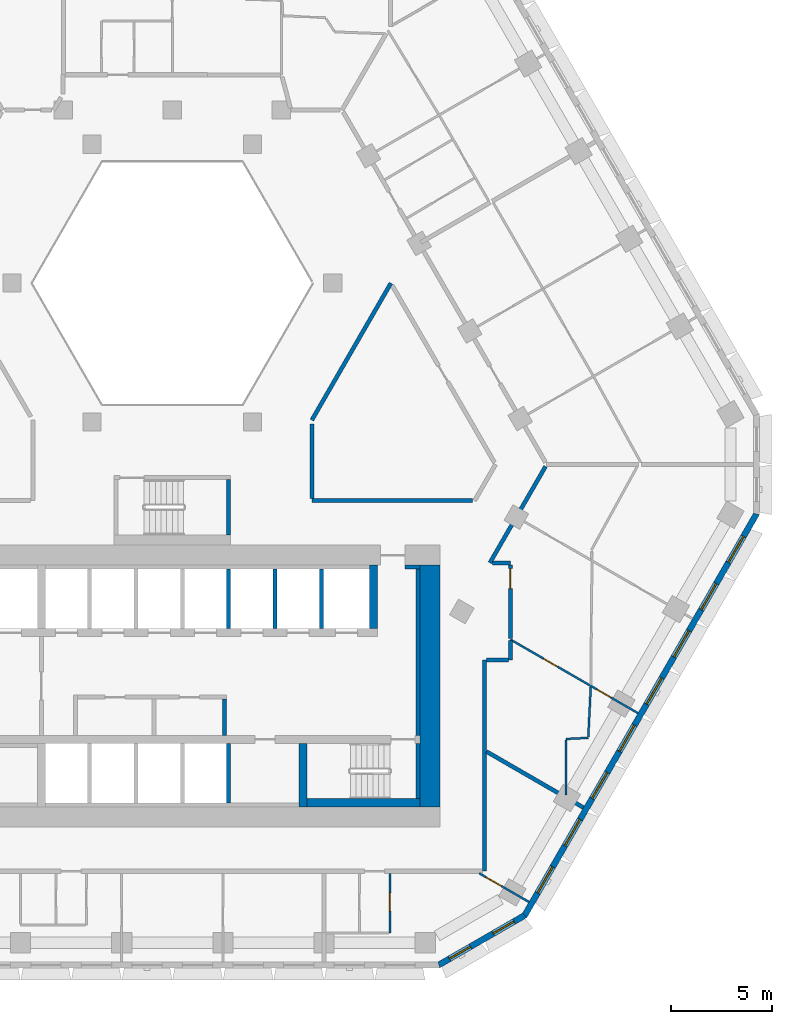
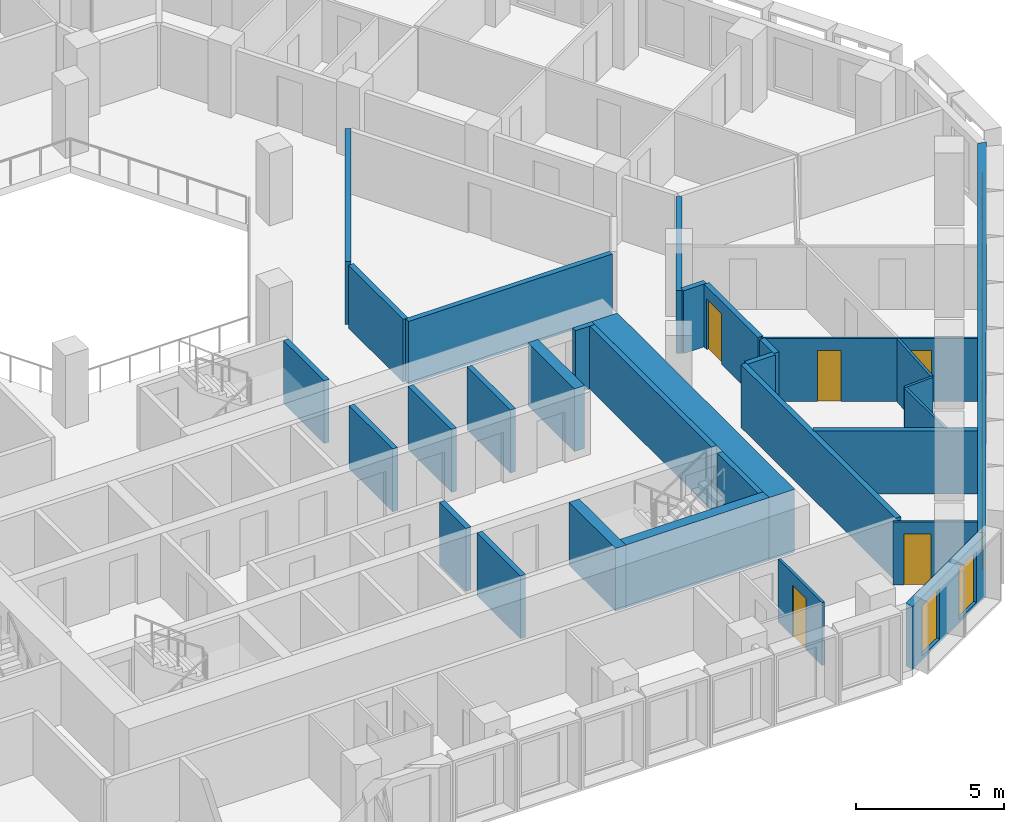
# One storey, part 6 of 18: 31 walls, 10 windows, 5 doors, 15 openings.
"""IFC4 building model written with IfcOpenShell, lengths in metres."""

from ifc_helpers import new_model, si_unit, direction, frame, frame_2d, origin, place, context, subcontext, project, spatial, polyline, rectangle, outline, extrude, material, layer, layer_set, type_object, element, fill, save


model = new_model("IFC4")

# Units and contexts
model_context = context("Model", 3, precision=1e-05, world=origin(), true_north=direction((0.0, 1.0)))
body_context = subcontext(model_context, "Body", "Model", "MODEL_VIEW")
ifc_project = project(units=[si_unit("LENGTHUNIT", "METRE"), si_unit("AREAUNIT", "SQUARE_METRE"), si_unit("VOLUMEUNIT", "CUBIC_METRE"), si_unit("PLANEANGLEUNIT", "RADIAN"), si_unit("MASSUNIT", "GRAM", prefix="KILO")], contexts=[model_context])

# Site, building, storey
site_placement = place(None, origin())
site = spatial("IfcSite", under=ifc_project, at=site_placement, CompositionType="ELEMENT")
building_placement = place(site_placement, origin())
building = spatial("IfcBuilding", under=site, at=building_placement, Name="Beryl Residences", CompositionType="ELEMENT")
storey_placement = place(building_placement, frame((0.0, 0.0, 105.0)))
storey = spatial("IfcBuildingStorey", under=building, at=storey_placement, Name="L32", CompositionType="ELEMENT", Elevation=105.0)

# Wall, openings, windows
ifc_material_1 = material(Name="Composite metal panel with mineral wool insulation")
ifc_layer_1 = layer(ifc_material_1, 0.300048828125)
ifc_layer_set_1 = layer_set([ifc_layer_1], Name="ES1 pale metal composite panel wall 300 mm")
wall_type_1 = type_object("IfcWallType", Name="ES1 pale metal composite panel wall 300 mm", PredefinedType="SOLIDWALL", material=ifc_layer_set_1)
wall_1_placement = place(storey_placement, frame((13.2041015625, -25.8701171875, 0.0), z_axis=(0.0, 0.0, 1.0), x_axis=(0.866010750942, 0.50002537861, 0.0)))
wall_1 = element("IfcWall", 1, at=wall_1_placement, inside=storey, type_object=wall_type_1, Name="ES1 external wall L32 S-SE", PredefinedType="SOLIDWALL", context=body_context, shape_type="SweptSolid", body=[
    extrude(outline(polyline([(0.0, -0.14990234375), (4.999755859375, -0.14990234375), (4.91943359375, 0.14990234375), (0.080322265625, 0.14990234375), (0.0, -0.14990234375)])), origin(), (0.0, 0.0, 1.0), 2.60009765625),
])
opening_1_placement = place(wall_1_placement, frame((0.64990234375, 0.0, 0.14990234375)))
opening_1 = element("IfcOpeningElement", 2, at=opening_1_placement, cuts=wall_1, Name="Opening W2", PredefinedType="OPENING", context=body_context, shape_type="SweptSolid", body=[
    extrude(rectangle(XDim=1.199951171875, YDim=2.10009765625, at=frame_2d((0.60009765625, 1.050048828125))), frame((0.0, 0.159912109375, 0.0), z_axis=(0.0, -1.0, 0.0), x_axis=(1.0, 0.0, 0.0)), (0.0, 0.0, 1.0), 0.320068359375),
])
opening_2_placement = place(wall_1_placement, frame((3.14892578125, 0.0, 0.14990234375)))
opening_2 = element("IfcOpeningElement", 3, at=opening_2_placement, cuts=wall_1, Name="Opening W2", PredefinedType="OPENING", context=body_context, shape_type="SweptSolid", body=[
    extrude(rectangle(XDim=1.199951171875, YDim=2.10009765625, at=frame_2d((0.60009765625, 1.050048828125))), frame((0.0, 0.159912109375, 0.0), z_axis=(0.0, -1.0, 0.0), x_axis=(1.0, 0.0, 0.0)), (0.0, 0.0, 1.0), 0.320068359375),
])
ifc_material_2 = material(Name="Aluminium and clear glass", Category="aluminium")
window_type_1 = type_object("IfcWindowType", Name="W2 chamfer window 1200 x 2100 mm", PartitioningType="SINGLE_PANEL", PredefinedType="WINDOW", material=ifc_material_2)
window_1_placement = place(opening_1_placement, origin())
window_1 = element("IfcWindow", 4, at=window_1_placement, inside=storey, type_object=window_type_1, Name="W2 window L32 S-SE 1", OverallHeight=2.10009765625, OverallWidth=1.199951171875, PartitioningType="SINGLE_PANEL", PredefinedType="WINDOW", context=body_context, shape_type="SweptSolid", body=[
    extrude(rectangle(XDim=1.199951171875, YDim=2.10009765625, at=frame_2d((0.60009765625, 1.050048828125))), frame((0.0, 0.030029296875, 0.0), z_axis=(0.0, -1.0, 0.0), x_axis=(1.0, 0.0, 0.0)), (0.0, 0.0, 1.0), 0.06005859375),
])
fill(opening_1, window_1)
window_2_placement = place(opening_2_placement, origin())
window_2 = element("IfcWindow", 5, at=window_2_placement, inside=storey, type_object=window_type_1, Name="W2 window L32 S-SE 2", OverallHeight=2.10009765625, OverallWidth=1.199951171875, PartitioningType="SINGLE_PANEL", PredefinedType="WINDOW", context=body_context, shape_type="SweptSolid", body=[
    extrude(rectangle(XDim=1.199951171875, YDim=2.10009765625, at=frame_2d((0.60009765625, 1.050048828125))), frame((0.0, 0.030029296875, 0.0), z_axis=(0.0, -1.0, 0.0), x_axis=(1.0, 0.0, 0.0)), (0.0, 0.0, 1.0), 0.06005859375),
])
fill(opening_2, window_2)

wall_2_placement = place(storey_placement, frame((17.47900390625, -23.425048828125, 0.0), z_axis=(0.0, 0.0, 1.0), x_axis=(0.500035407905, 0.866004960056, 0.0)))
wall_2 = element("IfcWall", 6, at=wall_2_placement, inside=storey, type_object=wall_type_1, Name="ES1 external wall L32 SE", PredefinedType="SOLIDWALL", context=body_context, shape_type="SweptSolid", body=[
    extrude(outline(polyline([(0.0, -0.14990234375), (23.094482421875, -0.14990234375), (23.01416015625, 0.14990234375), (0.080322265625, 0.14990234375), (0.0, -0.14990234375)])), origin(), (0.0, 0.0, 1.0), 2.60009765625),
])
opening_3_placement = place(wall_2_placement, frame((1.323974609375, 0.0, 0.14990234375)))
opening_3 = element("IfcOpeningElement", 7, at=opening_3_placement, cuts=wall_2, Name="Opening W1", PredefinedType="OPENING", context=body_context, shape_type="SweptSolid", body=[
    extrude(rectangle(XDim=1.5, YDim=2.10009765625, at=frame_2d((0.75, 1.050048828125))), frame((0.0, 0.159912109375, 0.0), z_axis=(0.0, -1.0, 0.0), x_axis=(1.0, 0.0, 0.0)), (0.0, 0.0, 1.0), 0.320068359375),
])
opening_4_placement = place(wall_2_placement, frame((4.031005859375, 0.0, 0.14990234375)))
opening_4 = element("IfcOpeningElement", 8, at=opening_4_placement, cuts=wall_2, Name="Opening W1", PredefinedType="OPENING", context=body_context, shape_type="SweptSolid", body=[
    extrude(rectangle(XDim=1.5, YDim=2.10009765625, at=frame_2d((0.75, 1.050048828125))), frame((0.0, 0.159912109375, 0.0), z_axis=(0.0, -1.0, 0.0), x_axis=(1.0, 0.0, 0.0)), (0.0, 0.0, 1.0), 0.320068359375),
])
opening_5_placement = place(wall_2_placement, frame((6.737060546875, 0.0, 0.14990234375)))
opening_5 = element("IfcOpeningElement", 9, at=opening_5_placement, cuts=wall_2, Name="Opening W1", PredefinedType="OPENING", context=body_context, shape_type="SweptSolid", body=[
    extrude(rectangle(XDim=1.5, YDim=2.10009765625, at=frame_2d((0.75, 1.050048828125))), frame((0.0, 0.159912109375, 0.0), z_axis=(0.0, -1.0, 0.0), x_axis=(1.0, 0.0, 0.0)), (0.0, 0.0, 1.0), 0.320068359375),
])
opening_6_placement = place(wall_2_placement, frame((9.444091796875, 0.0, 0.14990234375)))
opening_6 = element("IfcOpeningElement", 10, at=opening_6_placement, cuts=wall_2, Name="Opening W1", PredefinedType="OPENING", context=body_context, shape_type="SweptSolid", body=[
    extrude(rectangle(XDim=1.5, YDim=2.10009765625, at=frame_2d((0.75, 1.050048828125))), frame((0.0, 0.159912109375, 0.0), z_axis=(0.0, -1.0, 0.0), x_axis=(1.0, 0.0, 0.0)), (0.0, 0.0, 1.0), 0.320068359375),
])
opening_7_placement = place(wall_2_placement, frame((12.15087890625, 0.0, 0.14990234375)))
opening_7 = element("IfcOpeningElement", 11, at=opening_7_placement, cuts=wall_2, Name="Opening W1", PredefinedType="OPENING", context=body_context, shape_type="SweptSolid", body=[
    extrude(rectangle(XDim=1.5, YDim=2.10009765625, at=frame_2d((0.75, 1.050048828125))), frame((0.0, 0.159912109375, 0.0), z_axis=(0.0, -1.0, 0.0), x_axis=(1.0, 0.0, 0.0)), (0.0, 0.0, 1.0), 0.320068359375),
])
opening_8_placement = place(wall_2_placement, frame((14.85693359375, 0.0, 0.14990234375)))
opening_8 = element("IfcOpeningElement", 12, at=opening_8_placement, cuts=wall_2, Name="Opening W1", PredefinedType="OPENING", context=body_context, shape_type="SweptSolid", body=[
    extrude(rectangle(XDim=1.5, YDim=2.10009765625, at=frame_2d((0.75, 1.050048828125))), frame((0.0, 0.159912109375, 0.0), z_axis=(0.0, -1.0, 0.0), x_axis=(1.0, 0.0, 0.0)), (0.0, 0.0, 1.0), 0.320068359375),
])
opening_9_placement = place(wall_2_placement, frame((17.56396484375, 0.0, 0.14990234375)))
opening_9 = element("IfcOpeningElement", 13, at=opening_9_placement, cuts=wall_2, Name="Opening W1", PredefinedType="OPENING", context=body_context, shape_type="SweptSolid", body=[
    extrude(rectangle(XDim=1.5, YDim=2.10009765625, at=frame_2d((0.75, 1.050048828125))), frame((0.0, 0.159912109375, 0.0), z_axis=(0.0, -1.0, 0.0), x_axis=(1.0, 0.0, 0.0)), (0.0, 0.0, 1.0), 0.320068359375),
])
opening_10_placement = place(wall_2_placement, frame((20.27099609375, 0.0, 0.14990234375)))
opening_10 = element("IfcOpeningElement", 14, at=opening_10_placement, cuts=wall_2, Name="Opening W1", PredefinedType="OPENING", context=body_context, shape_type="SweptSolid", body=[
    extrude(rectangle(XDim=1.5, YDim=2.10009765625, at=frame_2d((0.75, 1.050048828125))), frame((0.0, 0.159912109375, 0.0), z_axis=(0.0, -1.0, 0.0), x_axis=(1.0, 0.0, 0.0)), (0.0, 0.0, 1.0), 0.320068359375),
])
ifc_material_3 = material(Name="Aluminium and clear glass", Category="aluminium")
window_type_2 = type_object("IfcWindowType", Name="W1 cell window 1500 x 2100 mm", PartitioningType="SINGLE_PANEL", PredefinedType="WINDOW", material=ifc_material_3)
window_3_placement = place(opening_3_placement, origin())
window_3 = element("IfcWindow", 15, at=window_3_placement, inside=storey, type_object=window_type_2, Name="W1 window L32 SE 1", OverallHeight=2.10009765625, OverallWidth=1.5, PartitioningType="SINGLE_PANEL", PredefinedType="WINDOW", context=body_context, shape_type="SweptSolid", body=[
    extrude(rectangle(XDim=1.5, YDim=2.10009765625, at=frame_2d((0.75, 1.050048828125))), frame((0.0, 0.030029296875, 0.0), z_axis=(0.0, -1.0, 0.0), x_axis=(1.0, 0.0, 0.0)), (0.0, 0.0, 1.0), 0.06005859375),
])
fill(opening_3, window_3)
window_4_placement = place(opening_4_placement, origin())
window_4 = element("IfcWindow", 16, at=window_4_placement, inside=storey, type_object=window_type_2, Name="W1 window L32 SE 2", OverallHeight=2.10009765625, OverallWidth=1.5, PartitioningType="SINGLE_PANEL", PredefinedType="WINDOW", context=body_context, shape_type="SweptSolid", body=[
    extrude(rectangle(XDim=1.5, YDim=2.10009765625, at=frame_2d((0.75, 1.050048828125))), frame((0.0, 0.030029296875, 0.0), z_axis=(0.0, -1.0, 0.0), x_axis=(1.0, 0.0, 0.0)), (0.0, 0.0, 1.0), 0.06005859375),
])
fill(opening_4, window_4)
window_5_placement = place(opening_5_placement, origin())
window_5 = element("IfcWindow", 17, at=window_5_placement, inside=storey, type_object=window_type_2, Name="W1 window L32 SE 3", OverallHeight=2.10009765625, OverallWidth=1.5, PartitioningType="SINGLE_PANEL", PredefinedType="WINDOW", context=body_context, shape_type="SweptSolid", body=[
    extrude(rectangle(XDim=1.5, YDim=2.10009765625, at=frame_2d((0.75, 1.050048828125))), frame((0.0, 0.030029296875, 0.0), z_axis=(0.0, -1.0, 0.0), x_axis=(1.0, 0.0, 0.0)), (0.0, 0.0, 1.0), 0.06005859375),
])
fill(opening_5, window_5)
window_6_placement = place(opening_6_placement, origin())
window_6 = element("IfcWindow", 18, at=window_6_placement, inside=storey, type_object=window_type_2, Name="W1 window L32 SE 4", OverallHeight=2.10009765625, OverallWidth=1.5, PartitioningType="SINGLE_PANEL", PredefinedType="WINDOW", context=body_context, shape_type="SweptSolid", body=[
    extrude(rectangle(XDim=1.5, YDim=2.10009765625, at=frame_2d((0.75, 1.050048828125))), frame((0.0, 0.030029296875, 0.0), z_axis=(0.0, -1.0, 0.0), x_axis=(1.0, 0.0, 0.0)), (0.0, 0.0, 1.0), 0.06005859375),
])
fill(opening_6, window_6)
window_7_placement = place(opening_7_placement, origin())
window_7 = element("IfcWindow", 19, at=window_7_placement, inside=storey, type_object=window_type_2, Name="W1 window L32 SE 5", OverallHeight=2.10009765625, OverallWidth=1.5, PartitioningType="SINGLE_PANEL", PredefinedType="WINDOW", context=body_context, shape_type="SweptSolid", body=[
    extrude(rectangle(XDim=1.5, YDim=2.10009765625, at=frame_2d((0.75, 1.050048828125))), frame((0.0, 0.030029296875, 0.0), z_axis=(0.0, -1.0, 0.0), x_axis=(1.0, 0.0, 0.0)), (0.0, 0.0, 1.0), 0.06005859375),
])
fill(opening_7, window_7)
window_8_placement = place(opening_8_placement, origin())
window_8 = element("IfcWindow", 20, at=window_8_placement, inside=storey, type_object=window_type_2, Name="W1 window L32 SE 6", OverallHeight=2.10009765625, OverallWidth=1.5, PartitioningType="SINGLE_PANEL", PredefinedType="WINDOW", context=body_context, shape_type="SweptSolid", body=[
    extrude(rectangle(XDim=1.5, YDim=2.10009765625, at=frame_2d((0.75, 1.050048828125))), frame((0.0, 0.030029296875, 0.0), z_axis=(0.0, -1.0, 0.0), x_axis=(1.0, 0.0, 0.0)), (0.0, 0.0, 1.0), 0.06005859375),
])
fill(opening_8, window_8)
window_9_placement = place(opening_9_placement, origin())
window_9 = element("IfcWindow", 21, at=window_9_placement, inside=storey, type_object=window_type_2, Name="W1 window L32 SE 7", OverallHeight=2.10009765625, OverallWidth=1.5, PartitioningType="SINGLE_PANEL", PredefinedType="WINDOW", context=body_context, shape_type="SweptSolid", body=[
    extrude(rectangle(XDim=1.5, YDim=2.10009765625, at=frame_2d((0.75, 1.050048828125))), frame((0.0, 0.030029296875, 0.0), z_axis=(0.0, -1.0, 0.0), x_axis=(1.0, 0.0, 0.0)), (0.0, 0.0, 1.0), 0.06005859375),
])
fill(opening_9, window_9)
window_10_placement = place(opening_10_placement, origin())
window_10 = element("IfcWindow", 22, at=window_10_placement, inside=storey, type_object=window_type_2, Name="W1 window L32 SE 8", OverallHeight=2.10009765625, OverallWidth=1.5, PartitioningType="SINGLE_PANEL", PredefinedType="WINDOW", context=body_context, shape_type="SweptSolid", body=[
    extrude(rectangle(XDim=1.5, YDim=2.10009765625, at=frame_2d((0.75, 1.050048828125))), frame((0.0, 0.030029296875, 0.0), z_axis=(0.0, -1.0, 0.0), x_axis=(1.0, 0.0, 0.0)), (0.0, 0.0, 1.0), 0.06005859375),
])
fill(opening_10, window_10)

# Wall, opening, door
ifc_material_4 = material(Name="Gypsum board partition on steel studs", Category="steel")
ifc_layer_2 = layer(ifc_material_4, 0.10009765625)
ifc_layer_set_2 = layer_set([ifc_layer_2], Name="PT1 partition 100 mm gypsum board on steel studs")
wall_type_2 = type_object("IfcWallType", Name="PT1 partition 100 mm gypsum board on steel studs", PredefinedType="PARTITIONING", material=ifc_layer_set_2)
wall_3_placement = place(storey_placement, frame((15.239990234375, -21.300048828125, 0.0), z_axis=(0.0, 0.0, 1.0), x_axis=(0.866090043625, -0.499888023795, 0.0)))
wall_3 = element("IfcWall", 23, at=wall_3_placement, inside=storey, type_object=wall_type_2, Name="Wall PT1 L32 019", PredefinedType="PARTITIONING", context=body_context, shape_type="SweptSolid", body=[
    extrude(rectangle(XDim=2.850830078125, YDim=0.10009765625, at=frame_2d((1.42529296875, 0.0))), origin(), (0.0, 0.0, 1.0), 2.60009765625),
])
opening_11_placement = place(wall_3_placement, frame((0.375, 0.0, 0.0)))
opening_11 = element("IfcOpeningElement", 24, at=opening_11_placement, cuts=wall_3, Name="Opening D0714", PredefinedType="OPENING", context=body_context, shape_type="SweptSolid", body=[
    extrude(rectangle(XDim=0.89990234375, YDim=2.10009765625, at=frame_2d((0.449951171875, 1.050048828125))), frame((0.0, 0.06005859375, 0.0), z_axis=(0.0, -1.0, 0.0), x_axis=(1.0, 0.0, 0.0)), (0.0, 0.0, 1.0), 0.1201171875),
])
ifc_material_5 = material(Name="Timber door leaf", Category="wood")
door_type_1 = type_object("IfcDoorType", Name="D2 room door 900 x 2100 mm", OperationType="SINGLE_SWING_LEFT", PredefinedType="DOOR", material=ifc_material_5)
door_1_placement = place(opening_11_placement, origin())
door_1 = element("IfcDoor", 25, at=door_1_placement, inside=storey, type_object=door_type_1, Name="Door D0714 L32 001", OperationType="SINGLE_SWING_RIGHT", OverallHeight=2.10009765625, OverallWidth=0.89990234375, PredefinedType="DOOR", context=body_context, shape_type="SweptSolid", body=[
    extrude(rectangle(XDim=0.89990234375, YDim=2.10009765625, at=frame_2d((0.449951171875, 1.050048828125))), frame((0.0, 0.02490234375, 0.0), z_axis=(0.0, -1.0, 0.0), x_axis=(1.0, 0.0, 0.0)), (0.0, 0.0, 1.0), 0.050048828125),
])
fill(opening_11, door_1)

# Wall, openings, doors
wall_4_placement = place(storey_placement, frame((16.791015625, -9.694091796875, 0.0), z_axis=(0.0, 0.0, 1.0), x_axis=(0.866013208994, -0.500021121402, 0.0)))
wall_4 = element("IfcWall", 26, at=wall_4_placement, inside=storey, type_object=wall_type_2, Name="Wall PT1 L32 021", PredefinedType="PARTITIONING", context=body_context, shape_type="SweptSolid", body=[
    extrude(rectangle(XDim=7.311767578125, YDim=0.10009765625, at=frame_2d((3.65576171875, 0.0))), origin(), (0.0, 0.0, 1.0), 2.60009765625),
])
opening_12_placement = place(wall_4_placement, frame((1.903076171875, 0.0, 0.0)))
opening_12 = element("IfcOpeningElement", 27, at=opening_12_placement, cuts=wall_4, Name="Opening D0717", PredefinedType="OPENING", context=body_context, shape_type="SweptSolid", body=[
    extrude(rectangle(XDim=0.800048828125, YDim=2.10009765625, at=frame_2d((0.39990234375, 1.050048828125))), frame((0.0, 0.06005859375, 0.0), z_axis=(0.0, -1.0, 0.0), x_axis=(1.0, 0.0, 0.0)), (0.0, 0.0, 1.0), 0.1201171875),
])
opening_13_placement = place(wall_4_placement, frame((4.958984375, 0.0, 0.0)))
opening_13 = element("IfcOpeningElement", 28, at=opening_13_placement, cuts=wall_4, Name="Opening D0720", PredefinedType="OPENING", context=body_context, shape_type="SweptSolid", body=[
    extrude(rectangle(XDim=0.800048828125, YDim=2.10009765625, at=frame_2d((0.39990234375, 1.050048828125))), frame((0.0, 0.06005859375, 0.0), z_axis=(0.0, -1.0, 0.0), x_axis=(1.0, 0.0, 0.0)), (0.0, 0.0, 1.0), 0.1201171875),
])
ifc_material_6 = material(Name="Timber door leaf", Category="wood")
door_type_2 = type_object("IfcDoorType", Name="D13 room door 800 x 2100 mm", OperationType="SINGLE_SWING_LEFT", PredefinedType="DOOR", material=ifc_material_6)
door_2_placement = place(opening_13_placement, origin())
door_2 = element("IfcDoor", 29, at=door_2_placement, inside=storey, type_object=door_type_2, Name="Door D0720 L32 001", OperationType="SINGLE_SWING_RIGHT", OverallHeight=2.10009765625, OverallWidth=0.800048828125, PredefinedType="DOOR", context=body_context, shape_type="SweptSolid", body=[
    extrude(rectangle(XDim=0.800048828125, YDim=2.10009765625, at=frame_2d((0.39990234375, 1.050048828125))), frame((0.0, 0.02490234375, 0.0), z_axis=(0.0, -1.0, 0.0), x_axis=(1.0, 0.0, 0.0)), (0.0, 0.0, 1.0), 0.050048828125),
])
fill(opening_13, door_2)
ifc_material_7 = material(Name="Timber door leaf", Category="wood")
door_type_3 = type_object("IfcDoorType", Name="D3 bathroom door 800 x 2100 mm", OperationType="SINGLE_SWING_LEFT", PredefinedType="DOOR", material=ifc_material_7)
door_3_placement = place(opening_12_placement, origin())
door_3 = element("IfcDoor", 30, at=door_3_placement, inside=storey, type_object=door_type_3, Name="Door D0717 L32 001", OperationType="SINGLE_SWING_LEFT", OverallHeight=2.10009765625, OverallWidth=0.800048828125, PredefinedType="DOOR", context=body_context, shape_type="SweptSolid", body=[
    extrude(rectangle(XDim=0.800048828125, YDim=2.10009765625, at=frame_2d((0.39990234375, 1.050048828125))), frame((0.0, 0.02490234375, 0.0), z_axis=(0.0, -1.0, 0.0), x_axis=(1.0, 0.0, 0.0)), (0.0, 0.0, 1.0), 0.050048828125),
])
fill(opening_12, door_3)

# Wall
wall_5_placement = place(storey_placement, frame((20.656005859375, -14.527099609375, 0.0), z_axis=(0.0, 0.0, 1.0), x_axis=(0.048885629948, 0.998804382842, 0.0)))
element("IfcWall", 31, at=wall_5_placement, inside=storey, type_object=wall_type_2, Name="Wall PT1 L32 036", PredefinedType="PARTITIONING", context=body_context, shape_type="SweptSolid", body=[
    extrude(rectangle(XDim=2.47705078125, YDim=0.10009765625, at=frame_2d((1.238525390625, 0.0))), origin(), (0.0, 0.0, 1.0), 2.60009765625),
])

# Wall, opening, door
wall_6_placement = place(storey_placement, frame((10.800048828125, -24.259033203125, 0.0), z_axis=(0.0, 0.0, 1.0), x_axis=(0.0, 1.0, 0.0)))
wall_6 = element("IfcWall", 32, at=wall_6_placement, inside=storey, type_object=wall_type_2, Name="Wall PT1 L32 042", PredefinedType="PARTITIONING", context=body_context, shape_type="SweptSolid", body=[
    extrude(rectangle(XDim=2.958984375, YDim=0.10009765625, at=frame_2d((1.4794921875, 0.0))), origin(), (0.0, 0.0, 1.0), 2.60009765625),
])
opening_14_placement = place(wall_6_placement, frame((1.0791015625, 0.0, 0.0)))
opening_14 = element("IfcOpeningElement", 33, at=opening_14_placement, cuts=wall_6, Name="Opening D0712", PredefinedType="OPENING", context=body_context, shape_type="SweptSolid", body=[
    extrude(rectangle(XDim=0.89990234375, YDim=2.10009765625, at=frame_2d((0.449951171875, 1.050048828125))), frame((0.0, 0.06005859375, 0.0), z_axis=(0.0, -1.0, 0.0), x_axis=(1.0, 0.0, 0.0)), (0.0, 0.0, 1.0), 0.1201171875),
])
door_4_placement = place(opening_14_placement, origin())
door_4 = element("IfcDoor", 34, at=door_4_placement, inside=storey, type_object=door_type_1, Name="Door D0712 L32 001", OperationType="SINGLE_SWING_RIGHT", OverallHeight=2.10009765625, OverallWidth=0.89990234375, PredefinedType="DOOR", context=body_context, shape_type="SweptSolid", body=[
    extrude(rectangle(XDim=0.89990234375, YDim=2.10009765625, at=frame_2d((0.449951171875, 1.050048828125))), frame((0.0, 0.02490234375, 0.0), z_axis=(0.0, -1.0, 0.0), x_axis=(1.0, 0.0, 0.0)), (0.0, 0.0, 1.0), 0.050048828125),
])
fill(opening_14, door_4)

# Walls
wall_7_placement = place(storey_placement, frame((19.548095703125, -17.4208984375, 0.0), z_axis=(0.0, 0.0, 1.0), x_axis=(0.0, 1.0, 0.0)))
element("IfcWall", 35, at=wall_7_placement, inside=storey, type_object=wall_type_2, Name="Wall PT1 L32 043", PredefinedType="PARTITIONING", context=body_context, shape_type="SweptSolid", body=[
    extrude(rectangle(XDim=2.739013671875, YDim=0.10009765625, at=frame_2d((1.36962890625, 0.0))), origin(), (0.0, 0.0, 1.0), 2.60009765625),
])
wall_8_placement = place(storey_placement, frame((19.548095703125, -14.632080078125, 0.0), z_axis=(0.0, 0.0, 1.0), x_axis=(0.998755638501, 0.049871580712, 0.0)))
element("IfcWall", 36, at=wall_8_placement, inside=storey, type_object=wall_type_2, Name="Wall PT1 L32 050", PredefinedType="PARTITIONING", context=body_context, shape_type="SweptSolid", body=[
    extrude(rectangle(XDim=1.1064453125, YDim=0.10009765625, at=frame_2d((0.55322265625, 0.0))), origin(), (0.0, 0.0, 1.0), 2.60009765625),
])
ifc_material_8 = material(Name="Concrete masonry", Category="masonry")
ifc_layer_3 = layer(ifc_material_8, 0.199951171875)
ifc_layer_set_3 = layer_set([ifc_layer_3], Name="PT13 lobby wall 200 mm")
wall_type_3 = type_object("IfcWallType", Name="PT13 lobby wall 200 mm", PredefinedType="PARTITIONING", material=ifc_layer_set_3)
wall_9_placement = place(storey_placement, frame((2.60009765625, -14.449951171875, 0.0), z_axis=(0.0, 0.0, 1.0), x_axis=(0.0, 1.0, 0.0)))
element("IfcWall", 37, at=wall_9_placement, inside=storey, type_object=wall_type_3, Name="Lobby wall 23", PredefinedType="PARTITIONING", context=body_context, shape_type="SweptSolid", body=[
    extrude(rectangle(XDim=1.800048828125, YDim=0.199951171875, at=frame_2d((0.89990234375, 0.0))), origin(), (0.0, 0.0, 1.0), 2.60009765625),
])
wall_10_placement = place(storey_placement, frame((11.550048828125, -6.10009765625, 0.0), z_axis=(0.0, 0.0, 1.0), x_axis=(1.0, 0.0, 0.0)))
element("IfcWall", 38, at=wall_10_placement, inside=storey, type_object=wall_type_3, Name="Lobby wall 29", PredefinedType="PARTITIONING", context=body_context, shape_type="SweptSolid", body=[
    extrude(rectangle(XDim=0.75, YDim=0.199951171875, at=frame_2d((0.375, 0.0))), origin(), (0.0, 0.0, 1.0), 2.60009765625),
])
wall_11_placement = place(storey_placement, frame((12.199951171875, -14.449951171875, 0.0), z_axis=(0.0, 0.0, 1.0), x_axis=(0.0, 1.0, 0.0)))
element("IfcWall", 39, at=wall_11_placement, inside=storey, type_object=wall_type_3, Name="Lobby wall 31", PredefinedType="PARTITIONING", context=body_context, shape_type="SweptSolid", body=[
    extrude(rectangle(XDim=8.25, YDim=0.199951171875, at=frame_2d((4.125, 0.0))), origin(), (0.0, 0.0, 1.0), 2.60009765625),
])
ifc_material_9 = material(Name="Acoustic double stud gypsum board wall")
ifc_layer_4 = layer(ifc_material_9, 0.199951171875)
ifc_layer_set_4 = layer_set([ifc_layer_4], Name="PT3 party wall 200 mm acoustic double stud")
wall_type_4 = type_object("IfcWallType", Name="PT3 party wall 200 mm acoustic double stud", PredefinedType="PARTITIONING", material=ifc_layer_set_4)
wall_12_placement = place(storey_placement, frame((15.60009765625, -15.257080078125, 0.0), z_axis=(0.0, 0.0, 1.0), x_axis=(0.86598379672, -0.500072058625, 0.0)))
element("IfcWall", 40, at=wall_12_placement, inside=storey, type_object=wall_type_4, Name="Wall PT3 L32 005", PredefinedType="PARTITIONING", context=body_context, shape_type="SweptSolid", body=[
    extrude(rectangle(XDim=5.561279296875, YDim=0.199951171875, at=frame_2d((2.78076171875, 0.0))), origin(), (0.0, 0.0, 1.0), 2.60009765625),
])
ifc_material_10 = material(Name="Double stud gypsum board wall")
ifc_layer_5 = layer(ifc_material_10, 0.199951171875)
ifc_layer_set_5 = layer_set([ifc_layer_5], Name="PT4 corridor wall 200 mm double stud")
wall_type_5 = type_object("IfcWallType", Name="PT4 corridor wall 200 mm double stud", PredefinedType="PARTITIONING", material=ifc_layer_set_5)
wall_13_placement = place(storey_placement, frame((6.927978515625, 1.0, 0.0), z_axis=(0.0, 0.0, 1.0), x_axis=(0.0, -1.0, 0.0)))
element("IfcWall", 41, at=wall_13_placement, inside=storey, type_object=wall_type_5, Name="Wall PT4 L32 010", PredefinedType="PARTITIONING", context=body_context, shape_type="SweptSolid", body=[
    extrude(rectangle(XDim=3.698974609375, YDim=0.199951171875, at=frame_2d((1.849609375, 0.0))), origin(), (0.0, 0.0, 1.0), 2.60009765625),
])

# Wall, opening, door
wall_14_placement = place(storey_placement, frame((16.791015625, -5.985107421875, 0.0), z_axis=(0.0, 0.0, 1.0), x_axis=(0.0, -1.0, 0.0)))
wall_14 = element("IfcWall", 42, at=wall_14_placement, inside=storey, type_object=wall_type_5, Name="Wall PT4 L32 011", PredefinedType="PARTITIONING", context=body_context, shape_type="SweptSolid", body=[
    extrude(rectangle(XDim=3.65087890625, YDim=0.199951171875, at=frame_2d((1.825439453125, 0.0))), origin(), (0.0, 0.0, 1.0), 2.60009765625),
])
opening_15_placement = place(wall_14_placement, frame((0.18310546875, 0.0, 0.0)))
opening_15 = element("IfcOpeningElement", 43, at=opening_15_placement, cuts=wall_14, Name="Opening D0715", PredefinedType="OPENING", context=body_context, shape_type="SweptSolid", body=[
    extrude(rectangle(XDim=1.0, YDim=2.10009765625, at=frame_2d((0.5, 1.050048828125))), frame((0.0, 0.10986328125, 0.0), z_axis=(0.0, -1.0, 0.0), x_axis=(1.0, 0.0, 0.0)), (0.0, 0.0, 1.0), 0.219970703125),
])
ifc_material_11 = material(Name="Timber door leaf", Category="wood")
door_type_4 = type_object("IfcDoorType", Name="D1 flat entrance door 1000 x 2100 mm", OperationType="SINGLE_SWING_LEFT", PredefinedType="DOOR", material=ifc_material_11)
door_5_placement = place(opening_15_placement, origin())
door_5 = element("IfcDoor", 44, at=door_5_placement, inside=storey, type_object=door_type_4, Name="Door D0715 L32 001", OperationType="SINGLE_SWING_LEFT", OverallHeight=2.10009765625, OverallWidth=1.0, PredefinedType="DOOR", context=body_context, shape_type="SweptSolid", body=[
    extrude(rectangle(XDim=1.0, YDim=2.10009765625, at=frame_2d((0.5, 1.050048828125))), frame((0.0, 0.02490234375, 0.0), z_axis=(0.0, -1.0, 0.0), x_axis=(1.0, 0.0, 0.0)), (0.0, 0.0, 1.0), 0.050048828125),
])
fill(opening_15, door_5)

# Walls
wall_15_placement = place(storey_placement, frame((15.886962890625, -5.885009765625, 0.0), z_axis=(0.0, 0.0, 1.0), x_axis=(1.0, 0.0, 0.0)))
element("IfcWall", 45, at=wall_15_placement, inside=storey, type_object=wall_type_5, Name="Wall PT4 L32 012", PredefinedType="PARTITIONING", context=body_context, shape_type="SweptSolid", body=[
    extrude(rectangle(XDim=0.904052734375, YDim=0.199951171875, at=frame_2d((0.4521484375, 0.0))), origin(), (0.0, 0.0, 1.0), 2.60009765625),
])
wall_16_placement = place(storey_placement, frame((15.60107421875, -10.715087890625, 0.0), z_axis=(0.0, 0.0, 1.0), x_axis=(1.0, 0.0, 0.0)))
element("IfcWall", 46, at=wall_16_placement, inside=storey, type_object=wall_type_5, Name="Wall PT4 L32 014", PredefinedType="PARTITIONING", context=body_context, shape_type="SweptSolid", body=[
    extrude(rectangle(XDim=1.08984375, YDim=0.199951171875, at=frame_2d((0.544921875, 0.0))), origin(), (0.0, 0.0, 1.0), 2.60009765625),
])
wall_17_placement = place(storey_placement, frame((6.928955078125, -2.800048828125, 0.0), z_axis=(0.0, 0.0, 1.0), x_axis=(1.0, 0.0, 0.0)))
element("IfcWall", 47, at=wall_17_placement, inside=storey, type_object=wall_type_5, Name="Wall PT4 L32 018", PredefinedType="PARTITIONING", context=body_context, shape_type="SweptSolid", body=[
    extrude(rectangle(XDim=7.966064453125, YDim=0.199951171875, at=frame_2d((3.98291015625, 0.0))), origin(), (0.0, 0.0, 1.0), 2.60009765625),
])
wall_18_placement = place(storey_placement, frame((6.927978515625, 1.199951171875, 0.0), z_axis=(0.0, 0.0, 1.0), x_axis=(0.500055327065, 0.865993458332, 0.0)))
element("IfcWall", 48, at=wall_18_placement, inside=storey, type_object=wall_type_5, Name="Wall PT4 L32 023", PredefinedType="PARTITIONING", context=body_context, shape_type="SweptSolid", body=[
    extrude(rectangle(XDim=7.85107421875, YDim=0.199951171875, at=frame_2d((3.925537109375, 0.0))), origin(), (0.0, 0.0, 1.0), 2.60009765625),
])
wall_19_placement = place(storey_placement, frame((15.77099609375, -5.884033203125, 0.0), z_axis=(0.0, 0.0, 1.0), x_axis=(0.499917542299, 0.866073005526, 0.0)))
element("IfcWall", 49, at=wall_19_placement, inside=storey, type_object=wall_type_5, Name="Wall PT4 L32 025", PredefinedType="PARTITIONING", context=body_context, shape_type="SweptSolid", body=[
    extrude(rectangle(XDim=5.52490234375, YDim=0.199951171875, at=frame_2d((2.762451171875, 0.0))), origin(), (0.0, 0.0, 1.0), 2.60009765625),
])
wall_20_placement = place(storey_placement, frame((15.5, -21.198974609375, 0.0), z_axis=(0.0, 0.0, 1.0), x_axis=(0.0, 1.0, 0.0)))
element("IfcWall", 50, at=wall_20_placement, inside=storey, type_object=wall_type_5, Name="Wall PT4 L32 029", PredefinedType="PARTITIONING", context=body_context, shape_type="SweptSolid", body=[
    extrude(rectangle(XDim=10.48291015625, YDim=0.199951171875, at=frame_2d((5.241455078125, 0.0))), origin(), (0.0, 0.0, 1.0), 2.60009765625),
])
wall_21_placement = place(storey_placement, frame((16.791015625, -10.715087890625, 0.0), z_axis=(0.0, 0.0, 1.0), x_axis=(0.0, 1.0, 0.0)))
element("IfcWall", 51, at=wall_21_placement, inside=storey, type_object=wall_type_5, Name="Wall PT4 L32 030", PredefinedType="PARTITIONING", context=body_context, shape_type="SweptSolid", body=[
    extrude(rectangle(XDim=0.963134765625, YDim=0.199951171875, at=frame_2d((0.4814453125, 0.0))), origin(), (0.0, 0.0, 1.0), 2.60009765625),
])
ifc_material_12 = material(Name="Concrete C40/50", Category="concrete")
ifc_layer_6 = layer(ifc_material_12, 0.199951171875)
ifc_layer_set_6 = layer_set([ifc_layer_6], Name="PT5 stair enclosure wall 200 mm reinforced concrete C40/50")
wall_type_6 = type_object("IfcWallType", Name="PT5 stair enclosure wall 200 mm reinforced concrete C40/50", PredefinedType="SOLIDWALL", material=ifc_layer_set_6)
for number, where, z_axis, x_axis, name in (
    (52, (2.800048828125, -4.5, 0.0), (0.0, 0.0, 1.0), (0.0, 1.0, 0.0), "Wall PT5 L32 003"),
    (53, (12.199951171875, -17.60009765625, 0.0), (0.0, 0.0, 1.0), (0.0, 1.0, 0.0), "Stair wall 30"),
):
    element("IfcWall", number, at=place(storey_placement, frame(where, z_axis=z_axis, x_axis=x_axis)), inside=storey, type_object=wall_type_6, Name=name, PredefinedType="SOLIDWALL", context=body_context, shape_type="SweptSolid", body=[
        extrude(rectangle(XDim=2.75, YDim=0.199951171875, at=frame_2d((1.375, 0.0))), origin(), (0.0, 0.0, 1.0), 2.60009765625),
    ])
ifc_material_13 = material(Name="Concrete C40/50", Category="concrete")
ifc_layer_7 = layer(ifc_material_13, 0.39990234375)
ifc_layer_set_7 = layer_set([ifc_layer_7], Name="PT5-400 stair enclosure wall 400 mm")
wall_type_7 = type_object("IfcWallType", Name="PT5-400 stair enclosure wall 400 mm", PredefinedType="SOLIDWALL", material=ifc_layer_set_7)
wall_22_placement = place(storey_placement, frame((6.699951171875, -17.800048828125, 0.0), z_axis=(0.0, 0.0, 1.0), x_axis=(1.0, 0.0, 0.0)))
element("IfcWall", 54, at=wall_22_placement, inside=storey, type_object=wall_type_7, Name="Stair wall 27", PredefinedType="SOLIDWALL", context=body_context, shape_type="SweptSolid", body=[
    extrude(rectangle(XDim=5.60009765625, YDim=0.39990234375, at=frame_2d((2.800048828125, 0.0))), origin(), (0.0, 0.0, 1.0), 2.60009765625),
])
ifc_material_14 = material(Name="Concrete C40/50", Category="concrete")
ifc_layer_8 = layer(ifc_material_14, 0.199951171875)
ifc_layer_set_8 = layer_set([ifc_layer_8], Name="PT6 lift shaft wall 200 mm reinforced concrete C40/50")
wall_type_8 = type_object("IfcWallType", Name="PT6 lift shaft wall 200 mm reinforced concrete C40/50", PredefinedType="SOLIDWALL", material=ifc_layer_set_8)
for number, where, z_axis, x_axis, name in (
    (55, (2.800048828125, -17.800048828125, 0.0), (0.0, 0.0, 1.0), (0.0, 1.0, 0.0), "Lift shaft wall 24"),
    (56, (2.800048828125, -9.14990234375, 0.0), (0.0, 0.0, 1.0), (0.0, 1.0, 0.0), "Lift shaft wall 25"),
    (57, (5.10009765625, -9.14990234375, 0.0), (0.0, 0.0, 1.0), (0.0, 1.0, 0.0), "Lift shaft wall 26"),
    (58, (7.39990234375, -9.14990234375, 0.0), (0.0, 0.0, 1.0), (0.0, 1.0, 0.0), "Lift shaft wall 28"),
):
    element("IfcWall", number, at=place(storey_placement, frame(where, z_axis=z_axis, x_axis=x_axis)), inside=storey, type_object=wall_type_8, Name=name, PredefinedType="SOLIDWALL", context=body_context, shape_type="SweptSolid", body=[
        extrude(rectangle(XDim=2.949951171875, YDim=0.199951171875, at=frame_2d((1.47509765625, 0.0))), origin(), (0.0, 0.0, 1.0), 2.60009765625),
    ])
ifc_material_15 = material(Name="Concrete C70/85", Category="concrete")
ifc_layer_9 = layer(ifc_material_15, 1.0)
ifc_layer_set_9 = layer_set([ifc_layer_9], Name="SW2 core outer wall 1000 mm C70/85")
wall_type_9 = type_object("IfcWallType", Name="SW2 core outer wall 1000 mm C70/85", PredefinedType="SHEAR", material=ifc_layer_set_9)
wall_23_placement = place(storey_placement, frame((12.800048828125, -18.0, 0.0), z_axis=(0.0, 0.0, 1.0), x_axis=(0.0, 1.0, 0.0)))
element("IfcWall", 59, at=wall_23_placement, inside=storey, type_object=wall_type_9, Name="Core wall E L32", PredefinedType="SHEAR", context=body_context, shape_type="SweptSolid", body=[
    extrude(rectangle(XDim=12.0, YDim=1.0, at=frame_2d((6.0, 0.0))), origin(), (0.0, 0.0, 1.0), 2.60009765625),
])
ifc_material_16 = material(Name="Concrete C70/85", Category="concrete")
ifc_layer_10 = layer(ifc_material_16, 0.39990234375)
ifc_layer_set_10 = layer_set([ifc_layer_10], Name="SW7 core internal wall 400 mm C70/85")
wall_type_10 = type_object("IfcWallType", Name="SW7 core internal wall 400 mm C70/85", PredefinedType="SHEAR", material=ifc_layer_set_10)
for number, where, z_axis, x_axis, name in (
    (60, (6.5, -18.0, 0.0), (0.0, 0.0, 1.0), (0.0, 1.0, 0.0), "Core wall XS2 L32"),
    (61, (10.0, -9.14990234375, 0.0), (0.0, 0.0, 1.0), (0.0, 1.0, 0.0), "Core wall XN2 L32"),
):
    element("IfcWall", number, at=place(storey_placement, frame(where, z_axis=z_axis, x_axis=x_axis)), inside=storey, type_object=wall_type_10, Name=name, PredefinedType="SHEAR", context=body_context, shape_type="SweptSolid", body=[
        extrude(rectangle(XDim=3.14990234375, YDim=0.39990234375, at=frame_2d((1.574951171875, 0.0))), origin(), (0.0, 0.0, 1.0), 2.60009765625),
    ])

save(model, "model.ifc")
